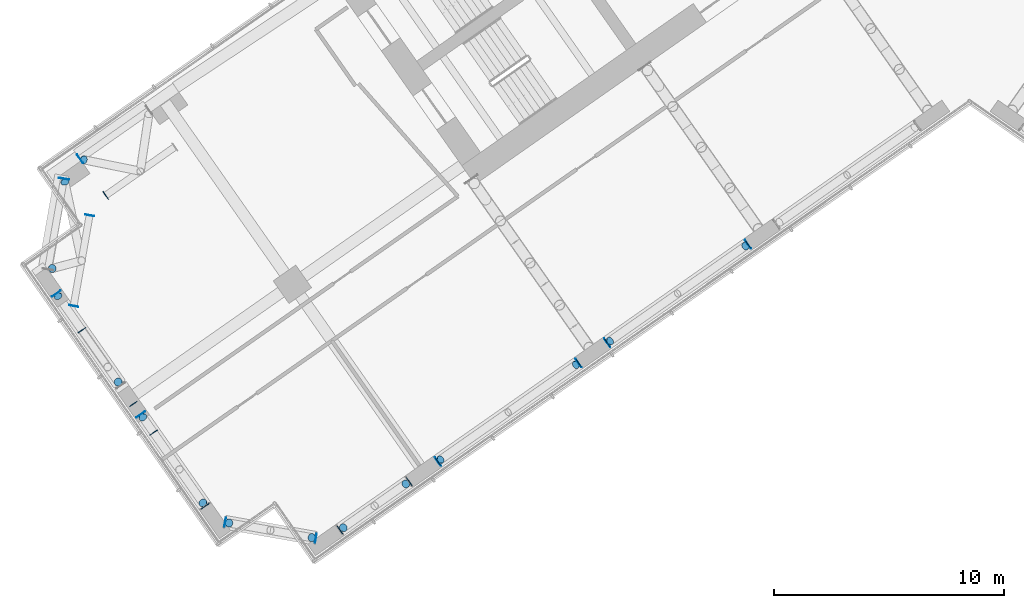
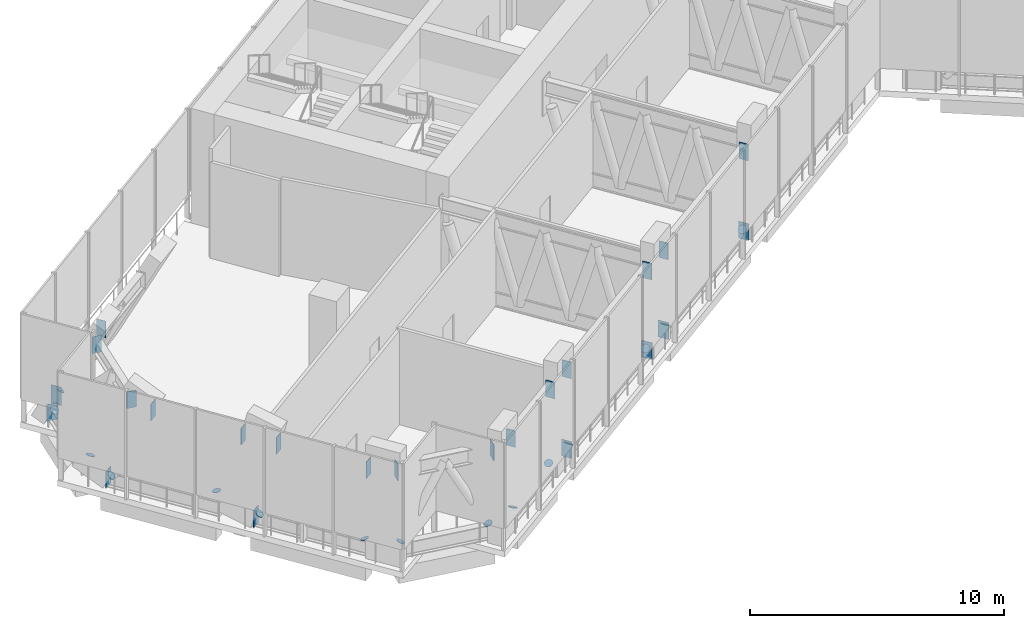
# One storey, part 12 of 24: 38 discrete accessories.
"""IFC4 building model written with IfcOpenShell, lengths in metres."""

from ifc_helpers import new_model, si_unit, direction, frame, origin, origin_2d, place, context, subcontext, project, spatial, rectangle, circle, extrude, material, layer, layer_set, material_profile, profile_set, type_object, element, save


model = new_model("IFC4")

# Units and contexts
model_context = context("Model", 3, precision=1e-05, world=origin(), true_north=direction((0.0, 1.0)))
body_context = subcontext(model_context, "Body", "Model", "MODEL_VIEW")
ifc_project = project(units=[si_unit("LENGTHUNIT", "METRE"), si_unit("AREAUNIT", "SQUARE_METRE"), si_unit("VOLUMEUNIT", "CUBIC_METRE"), si_unit("PLANEANGLEUNIT", "RADIAN"), si_unit("MASSUNIT", "GRAM", prefix="KILO")], contexts=[model_context])

# Site, building, storey
site_placement = place(None, origin())
site = spatial("IfcSite", under=ifc_project, at=site_placement, CompositionType="ELEMENT")
building_placement = place(site_placement, origin())
building = spatial("IfcBuilding", under=site, at=building_placement, Name="Tel Ilan Convention Tower", CompositionType="ELEMENT")
storey_placement = place(building_placement, frame((0.0, 0.0, 126.5)))
storey = spatial("IfcBuildingStorey", under=building, at=storey_placement, Name="L28", CompositionType="ELEMENT", Elevation=126.5)

# Discrete accessories
ifc_material_1 = material(Name="Steel S355", Category="steel")
ifc_material_profile = material_profile(ifc_material_1, circle(Radius=0.177734375, at=origin_2d()), Name="End Cap Disc 356 mm Steel S355")
ifc_profile_set = profile_set([ifc_material_profile], Name="Steel S355")
discrete_accessory_type_1 = type_object("IfcDiscreteAccessoryType", Name="End Cap Disc 356 mm Steel S355", PredefinedType="BRACKET", material=ifc_profile_set)
for number, where, z_axis, x_axis, name in (
    (1, (-9.787841796875, -19.000244140625, 0.51904296875), (0.57084084584, 0.400803147079, -0.716587444777), (-0.574630421476, 0.818413024526, 0.0), "L28 W-F2-W-F3 belt end cap"),
    (2, (-15.659912109375, -23.11181640625, 0.51904296875), (-0.562567508496, -0.403581038704, -0.721553978288), (0.582907875452, -0.81253825063, 0.0), "L28 W-F2-W-F3 belt end cap"),
):
    element("IfcDiscreteAccessory", number, at=place(storey_placement, frame(where, z_axis=z_axis, x_axis=x_axis)), inside=storey, type_object=discrete_accessory_type_1, Name=name, PredefinedType="BRACKET", context=body_context, shape_type="SweptSolid", body=[
        extrude(circle(Radius=0.177734375, at=origin_2d()), origin(), (0.0, 0.0, 1.0), 0.02001953125),
    ])
for number, where, z_axis, x_axis, name in (
    (3, (-17.160400390625, -24.16259765625, 0.51904296875), (0.576142901161, 0.408101221656, -0.708175649344), (-0.57801734078, 0.816024481102, 0.0), "L28 W-F3-W-F4 belt end cap"),
    (4, (-23.031982421875, -28.27392578125, 0.51904296875), (-0.578943888131, -0.39802392309, -0.71161852916), (0.566528822887, -0.824041924199, 0.0), "L28 W-F3-W-F4 belt end cap"),
):
    element("IfcDiscreteAccessory", number, at=place(storey_placement, frame(where, z_axis=z_axis, x_axis=x_axis)), inside=storey, type_object=discrete_accessory_type_1, Name=name, PredefinedType="BRACKET", context=body_context, shape_type="SweptSolid", body=[
        extrude(circle(Radius=0.177734375, at=origin_2d()), origin(), (0.0, 0.0, 1.0), 0.020263671875),
    ])
discrete_accessory_1_placement = place(storey_placement, frame((-24.555419921875, -29.340576171875, 0.75), z_axis=(0.353842768022, 0.244029495187, -0.902909132193), x_axis=(-0.567732955804, 0.823212785915, 0.0)))
element("IfcDiscreteAccessory", 5, at=discrete_accessory_1_placement, inside=storey, type_object=discrete_accessory_type_1, Name="L28 W-F4-W-FC belt end cap", PredefinedType="BRACKET", context=body_context, shape_type="SweptSolid", body=[
    extrude(circle(Radius=0.177734375, at=origin_2d()), origin(), (0.0, 0.0, 1.0), 0.02001953125),
])
discrete_accessory_2_placement = place(storey_placement, frame((-27.268798828125, -31.240478515625, 0.75), z_axis=(-0.363349534149, -0.254344673905, -0.896262184235), x_axis=(0.573462344363, -0.819231920519, 0.0)))
element("IfcDiscreteAccessory", 6, at=discrete_accessory_2_placement, inside=storey, type_object=discrete_accessory_type_1, Name="L28 W-F4-W-FC belt end cap", PredefinedType="BRACKET", context=body_context, shape_type="SweptSolid", body=[
    extrude(circle(Radius=0.177734375, at=origin_2d()), origin(), (0.0, 0.0, 1.0), 0.020263671875),
])
for number, where, z_axis, x_axis, name in (
    (7, (-28.6484375, -31.675048828125, 0.713134765625), (0.455818523796, -0.073916517372, -0.886998208467), (0.160071158554, 0.987105477748, 0.0), "L28 W-FC-W-E1 belt end cap"),
    (8, (-32.240478515625, -31.04150390625, 0.713134765625), (-0.455818523796, 0.073916517372, -0.886998208467), (-0.160071158554, -0.987105477748, 0.0), "L28 W-FC-W-E1 belt end cap"),
):
    element("IfcDiscreteAccessory", number, at=place(storey_placement, frame(where, z_axis=z_axis, x_axis=x_axis)), inside=storey, type_object=discrete_accessory_type_1, Name=name, PredefinedType="BRACKET", context=body_context, shape_type="SweptSolid", body=[
        extrude(circle(Radius=0.177734375, at=origin_2d()), origin(), (0.0, 0.0, 1.0), 0.019775390625),
    ])
for number, where, z_axis, x_axis, name in (
    (9, (-33.38720703125, -30.162841796875, 0.722900390625), (0.25596436017, -0.377852150727, -0.889780871066), (0.827918690488, 0.56084814517, 0.0), "L28 W-E1-W-E2 belt end cap"),
    (10, (-35.99169921875, -26.443359375, 0.581298828125), (-0.353055224717, 0.499147041841, -0.79133067609), (-0.816415639507, -0.577464720627, 0.0), "L28 W-E1-W-E2 belt end cap"),
):
    element("IfcDiscreteAccessory", number, at=place(storey_placement, frame(where, z_axis=z_axis, x_axis=x_axis)), inside=storey, type_object=discrete_accessory_type_1, Name=name, PredefinedType="BRACKET", context=body_context, shape_type="SweptSolid", body=[
        extrude(circle(Radius=0.177734375, at=origin_2d()), origin(), (0.0, 0.0, 1.0), 0.02001953125),
    ])
discrete_accessory_3_placement = place(storey_placement, frame((-37.070068359375, -24.9033203125, 1.12451171875), z_axis=(0.145169551702, -0.205656864911, -0.967797011348), x_axis=(0.816967863265, 0.576683197599, 0.0)))
element("IfcDiscreteAccessory", 11, at=discrete_accessory_3_placement, inside=storey, type_object=discrete_accessory_type_1, Name="L28 W-E2-W-E3 belt end cap", PredefinedType="BRACKET", context=body_context, shape_type="SweptSolid", body=[
    extrude(circle(Radius=0.177734375, at=origin_2d()), origin(), (0.0, 0.0, 1.0), 0.020263671875),
])
discrete_accessory_4_placement = place(storey_placement, frame((-39.67724609375, -21.179931640625, 0.509521484375), z_axis=(-0.404915595608, 0.588968139066, -0.699399665141), x_axis=(-0.824041924199, -0.566528822887, 0.0)))
element("IfcDiscreteAccessory", 12, at=discrete_accessory_4_placement, inside=storey, type_object=discrete_accessory_type_1, Name="L28 W-E2-W-E3 belt end cap", PredefinedType="BRACKET", context=body_context, shape_type="SweptSolid", body=[
    extrude(circle(Radius=0.177734375, at=origin_2d()), origin(), (0.0, 0.0, 1.0), 0.019775390625),
])
for number, where, z_axis, x_axis, name in (
    (13, (-39.9365234375, -19.962890625, 0.84765625), (-0.355193772836, -0.085736427926, -0.930852646054), (0.234640533104, -0.972082208573, 0.0), "L28 W-E3-W-BC belt end cap"),
    (14, (-39.392578125, -16.2080078125, 0.524658203125), (-0.147153441476, 0.674453273433, -0.723504420592), (-0.97701576141, -0.213167075217, 0.0), "L28 W-E3-W-BC belt end cap"),
    (15, (-38.561279296875, -15.232666015625, 0.60888671875), (-0.56176986751, 0.122123884241, -0.818230024416), (-0.212429644331, -0.977176363923, 0.0), "L28 W-BC-W-B4 belt end cap"),
):
    element("IfcDiscreteAccessory", number, at=place(storey_placement, frame(where, z_axis=z_axis, x_axis=x_axis)), inside=storey, type_object=discrete_accessory_type_1, Name=name, PredefinedType="BRACKET", context=body_context, shape_type="SweptSolid", body=[
        extrude(circle(Radius=0.177734375, at=origin_2d()), origin(), (0.0, 0.0, 1.0), 0.02001953125),
    ])
ifc_material_2 = material(Name="Steel S355", Category="steel")
ifc_layer = layer(ifc_material_2, 0.02490234375)
ifc_layer_set = layer_set([ifc_layer], Name="End Plate 25 mm Steel S355")
discrete_accessory_type_2 = type_object("IfcDiscreteAccessoryType", Name="End Plate 25 mm Steel S355", PredefinedType="BRACKET", material=ifc_layer_set)
discrete_accessory_5_placement = place(storey_placement, frame((-15.785400390625, -23.19970703125, -0.0498046875), z_axis=(0.0, 0.0, 1.0), x_axis=(-0.819152044289, -0.573576436351, 0.0)))
element("IfcDiscreteAccessory", 16, at=discrete_accessory_5_placement, inside=storey, type_object=discrete_accessory_type_2, Name="L28 W-F2-W-F3 belt end plate", PredefinedType="BRACKET", context=body_context, shape_type="SweptSolid", body=[
    extrude(rectangle(XDim=0.02490234375, YDim=0.45556640625, at=origin_2d()), origin(), (0.0, 0.0, 1.0), 0.800048828125),
])
discrete_accessory_6_placement = place(storey_placement, frame((-15.785400390625, -23.19970703125, 3.77001953125), z_axis=(0.0, 0.0, 1.0), x_axis=(-0.819152044289, -0.573576436351, 0.0)))
element("IfcDiscreteAccessory", 17, at=discrete_accessory_6_placement, inside=storey, type_object=discrete_accessory_type_2, Name="L28 W-F2-W-F3 belt end plate", PredefinedType="BRACKET", context=body_context, shape_type="SweptSolid", body=[
    extrude(rectangle(XDim=0.02490234375, YDim=0.39990234375, at=origin_2d()), origin(), (0.0, 0.0, 1.0), 0.800048828125),
])
discrete_accessory_7_placement = place(storey_placement, frame((-9.662353515625, -18.912353515625, -0.0498046875), z_axis=(0.0, 0.0, 1.0), x_axis=(0.819152044289, 0.573576436351, 0.0)))
element("IfcDiscreteAccessory", 18, at=discrete_accessory_7_placement, inside=storey, type_object=discrete_accessory_type_2, Name="L28 W-F2-W-F3 belt end plate", PredefinedType="BRACKET", context=body_context, shape_type="SweptSolid", body=[
    extrude(rectangle(XDim=0.02490234375, YDim=0.45556640625, at=origin_2d()), origin(), (0.0, 0.0, 1.0), 0.800048828125),
])
discrete_accessory_8_placement = place(storey_placement, frame((-9.662353515625, -18.912353515625, 3.77001953125), z_axis=(0.0, 0.0, 1.0), x_axis=(0.819152044289, 0.573576436351, 0.0)))
element("IfcDiscreteAccessory", 19, at=discrete_accessory_8_placement, inside=storey, type_object=discrete_accessory_type_2, Name="L28 W-F2-W-F3 belt end plate", PredefinedType="BRACKET", context=body_context, shape_type="SweptSolid", body=[
    extrude(rectangle(XDim=0.02490234375, YDim=0.39990234375, at=origin_2d()), origin(), (0.0, 0.0, 1.0), 0.800048828125),
])
discrete_accessory_9_placement = place(storey_placement, frame((-23.15771484375, -28.362060546875, -0.0498046875), z_axis=(0.0, 0.0, 1.0), x_axis=(-0.819152044289, -0.573576436351, 0.0)))
element("IfcDiscreteAccessory", 20, at=discrete_accessory_9_placement, inside=storey, type_object=discrete_accessory_type_2, Name="L28 W-F3-W-F4 belt end plate", PredefinedType="BRACKET", context=body_context, shape_type="SweptSolid", body=[
    extrude(rectangle(XDim=0.02490234375, YDim=0.45556640625, at=origin_2d()), origin(), (0.0, 0.0, 1.0), 0.800048828125),
])
discrete_accessory_10_placement = place(storey_placement, frame((-23.15771484375, -28.362060546875, 3.77001953125), z_axis=(0.0, 0.0, 1.0), x_axis=(-0.819152044289, -0.573576436351, 0.0)))
element("IfcDiscreteAccessory", 21, at=discrete_accessory_10_placement, inside=storey, type_object=discrete_accessory_type_2, Name="L28 W-F3-W-F4 belt end plate", PredefinedType="BRACKET", context=body_context, shape_type="SweptSolid", body=[
    extrude(rectangle(XDim=0.02490234375, YDim=0.39990234375, at=origin_2d()), origin(), (0.0, 0.0, 1.0), 0.800048828125),
])
discrete_accessory_11_placement = place(storey_placement, frame((-17.03466796875, -24.074462890625, -0.0498046875), z_axis=(0.0, 0.0, 1.0), x_axis=(0.819152044289, 0.573576436351, 0.0)))
element("IfcDiscreteAccessory", 22, at=discrete_accessory_11_placement, inside=storey, type_object=discrete_accessory_type_2, Name="L28 W-F3-W-F4 belt end plate", PredefinedType="BRACKET", context=body_context, shape_type="SweptSolid", body=[
    extrude(rectangle(XDim=0.02490234375, YDim=0.45556640625, at=origin_2d()), origin(), (0.0, 0.0, 1.0), 0.800048828125),
])
for number, where, z_axis, x_axis, name in (
    (23, (-17.03466796875, -24.074462890625, 3.77001953125), (0.0, 0.0, 1.0), (0.819152044289, 0.573576436351, 0.0), "L28 W-F3-W-F4 belt end plate"),
    (24, (-27.41748046875, -31.344482421875, 3.77001953125), (0.0, 0.0, 1.0), (-0.819152044289, -0.573576436351, 0.0), "L28 W-F4-W-FC belt end plate"),
    (25, (-24.406982421875, -29.23681640625, 3.77001953125), (0.0, 0.0, 1.0), (0.819152044289, 0.573576436351, 0.0), "L28 W-F4-W-FC belt end plate"),
    (26, (-32.416748046875, -31.010498046875, 3.77001953125), (0.0, 0.0, 1.0), (-0.984807753012, 0.173648177667, 0.0), "L28 W-FC-W-E1 belt end plate"),
    (27, (-28.47216796875, -31.7060546875, 3.77001953125), (0.0, 0.0, 1.0), (0.984807753012, -0.173648177667, 0.0), "L28 W-FC-W-E1 belt end plate"),
):
    element("IfcDiscreteAccessory", number, at=place(storey_placement, frame(where, z_axis=z_axis, x_axis=x_axis)), inside=storey, type_object=discrete_accessory_type_2, Name=name, PredefinedType="BRACKET", context=body_context, shape_type="SweptSolid", body=[
        extrude(rectangle(XDim=0.02490234375, YDim=0.39990234375, at=origin_2d()), origin(), (0.0, 0.0, 1.0), 0.800048828125),
    ])
discrete_accessory_12_placement = place(storey_placement, frame((-36.086669921875, -26.307861328125, -0.050048828125), z_axis=(0.0, 0.0, 1.0), x_axis=(-0.573576436351, 0.819152044289, 0.0)))
element("IfcDiscreteAccessory", 28, at=discrete_accessory_12_placement, inside=storey, type_object=discrete_accessory_type_2, Name="L28 W-E1-W-E2 belt end plate", PredefinedType="BRACKET", context=body_context, shape_type="SweptSolid", body=[
    extrude(rectangle(XDim=0.02490234375, YDim=0.45556640625, at=origin_2d()), origin(), (0.0, 0.0, 1.0), 0.84326171875),
])
for number, where, z_axis, x_axis, name in (
    (29, (-35.529052734375, -27.104248046875, 3.77001953125), (0.0, 0.0, 1.0), (-0.573576436351, 0.819152044289, 0.0), "L28 W-E1-W-E2 belt end plate"),
    (30, (-33.2841796875, -30.31005859375, 3.77001953125), (0.0, 0.0, 1.0), (0.573576436351, -0.819152044289, 0.0), "L28 W-E1-W-E2 belt end plate"),
):
    element("IfcDiscreteAccessory", number, at=place(storey_placement, frame(where, z_axis=z_axis, x_axis=x_axis)), inside=storey, type_object=discrete_accessory_type_2, Name=name, PredefinedType="BRACKET", context=body_context, shape_type="SweptSolid", body=[
        extrude(rectangle(XDim=0.02490234375, YDim=0.39990234375, at=origin_2d()), origin(), (0.0, 0.0, 1.0), 0.800048828125),
    ])
discrete_accessory_13_placement = place(storey_placement, frame((-39.763916015625, -21.056396484375, -0.0498046875), z_axis=(0.0, 0.0, 1.0), x_axis=(-0.573576436351, 0.819152044289, 0.0)))
element("IfcDiscreteAccessory", 31, at=discrete_accessory_13_placement, inside=storey, type_object=discrete_accessory_type_2, Name="L28 W-E2-W-E3 belt end plate", PredefinedType="BRACKET", context=body_context, shape_type="SweptSolid", body=[
    extrude(rectangle(XDim=0.02490234375, YDim=0.45556640625, at=origin_2d()), origin(), (0.0, 0.0, 1.0), 0.800048828125),
])
for number, where, z_axis, x_axis, name in (
    (32, (-38.6484375, -22.6494140625, 3.77001953125), (0.0, 0.0, 1.0), (-0.573576436351, 0.819152044289, 0.0), "L28 W-E2-W-E3 belt end plate"),
    (33, (-36.40380859375, -25.85498046875, 3.77001953125), (0.0, 0.0, 1.0), (0.573576436351, -0.819152044289, 0.0), "L28 W-E2-W-E3 belt end plate"),
):
    element("IfcDiscreteAccessory", number, at=place(storey_placement, frame(where, z_axis=z_axis, x_axis=x_axis)), inside=storey, type_object=discrete_accessory_type_2, Name=name, PredefinedType="BRACKET", context=body_context, shape_type="SweptSolid", body=[
        extrude(rectangle(XDim=0.02490234375, YDim=0.39990234375, at=origin_2d()), origin(), (0.0, 0.0, 1.0), 0.800048828125),
    ])
discrete_accessory_14_placement = place(storey_placement, frame((-39.4296875, -16.056884765625, -0.0498046875), z_axis=(0.0, 0.0, 1.0), x_axis=(0.173648177667, 0.984807753012, 0.0)))
element("IfcDiscreteAccessory", 34, at=discrete_accessory_14_placement, inside=storey, type_object=discrete_accessory_type_2, Name="L28 W-E3-W-BC belt end plate", PredefinedType="BRACKET", context=body_context, shape_type="SweptSolid", body=[
    extrude(rectangle(XDim=0.02490234375, YDim=0.45556640625, at=origin_2d()), origin(), (0.0, 0.0, 1.0), 0.800048828125),
])
for number, where, z_axis, x_axis, name in (
    (35, (-39.010009765625, -21.594482421875, 3.77001953125), (0.0, 0.0, 1.0), (-0.173648177667, -0.984807753012, 0.0), "L28 W-E3-W-BC belt end plate"),
    (36, (-38.314208984375, -17.64990234375, 3.77001953125), (0.0, 0.0, 1.0), (0.173648177667, 0.984807753012, 0.0), "L28 W-E3-W-BC belt end plate"),
):
    element("IfcDiscreteAccessory", number, at=place(storey_placement, frame(where, z_axis=z_axis, x_axis=x_axis)), inside=storey, type_object=discrete_accessory_type_2, Name=name, PredefinedType="BRACKET", context=body_context, shape_type="SweptSolid", body=[
        extrude(rectangle(XDim=0.02490234375, YDim=0.39990234375, at=origin_2d()), origin(), (0.0, 0.0, 1.0), 0.800048828125),
    ])
discrete_accessory_15_placement = place(storey_placement, frame((-38.729248046875, -15.189453125, -0.0498046875), z_axis=(0.0, 0.0, 1.0), x_axis=(-0.819152044289, -0.573576436351, 0.0)))
element("IfcDiscreteAccessory", 37, at=discrete_accessory_15_placement, inside=storey, type_object=discrete_accessory_type_2, Name="L28 W-BC-W-B4 belt end plate", PredefinedType="BRACKET", context=body_context, shape_type="SweptSolid", body=[
    extrude(rectangle(XDim=0.02490234375, YDim=0.45556640625, at=origin_2d()), origin(), (0.0, 0.0, 1.0), 0.870361328125),
])
discrete_accessory_16_placement = place(storey_placement, frame((-37.614013671875, -16.782470703125, 3.77001953125), z_axis=(0.0, 0.0, 1.0), x_axis=(-0.819152044289, -0.573576436351, 0.0)))
element("IfcDiscreteAccessory", 38, at=discrete_accessory_16_placement, inside=storey, type_object=discrete_accessory_type_2, Name="L28 W-BC-W-B4 belt end plate", PredefinedType="BRACKET", context=body_context, shape_type="SweptSolid", body=[
    extrude(rectangle(XDim=0.02490234375, YDim=0.39990234375, at=origin_2d()), origin(), (0.0, 0.0, 1.0), 0.800048828125),
])

save(model, "model.ifc")
